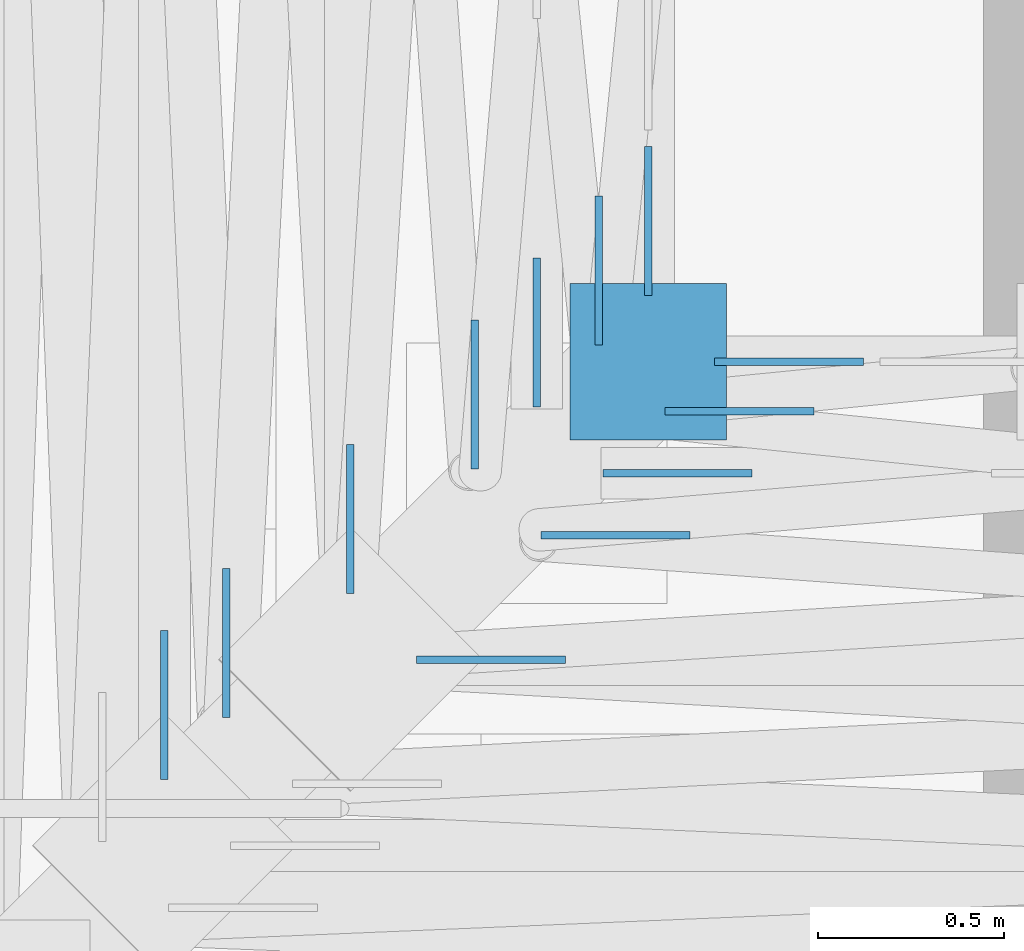
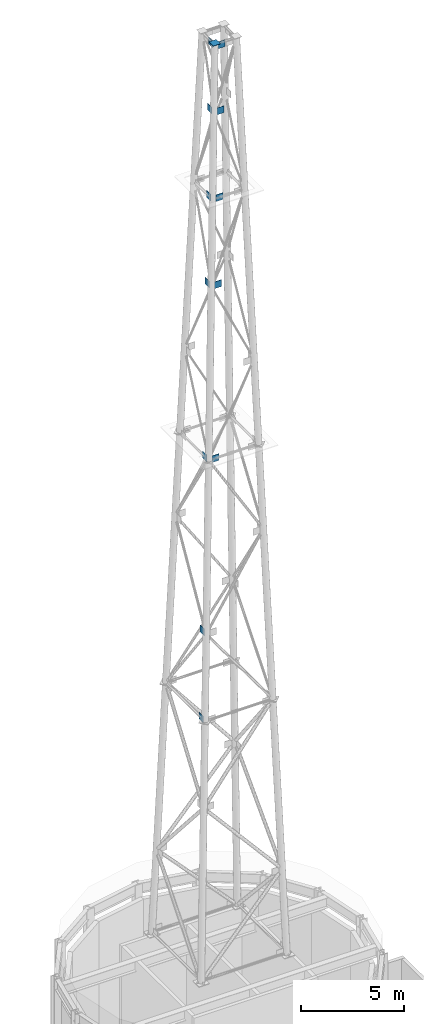
# One storey, part 6 of 15: 13 discrete accessories.
"""IFC4 building model written with IfcOpenShell, lengths in metres."""

from ifc_helpers import new_model, si_unit, direction, frame, origin, origin_2d, place, context, subcontext, project, spatial, rectangle, extrude, material, layer, layer_set, material_profile, profile_set, type_object, element, save


model = new_model("IFC4")

# Units and contexts
model_context = context("Model", 3, precision=1e-05, world=origin(), true_north=direction((0.0, 1.0)))
body_context = subcontext(model_context, "Body", "Model", "MODEL_VIEW")
ifc_project = project(units=[si_unit("LENGTHUNIT", "METRE"), si_unit("AREAUNIT", "SQUARE_METRE"), si_unit("VOLUMEUNIT", "CUBIC_METRE"), si_unit("PLANEANGLEUNIT", "RADIAN"), si_unit("MASSUNIT", "GRAM", prefix="KILO")], contexts=[model_context])

# Site, building, storey
site_placement = place(None, origin())
site = spatial("IfcSite", under=ifc_project, at=site_placement, CompositionType="ELEMENT")
building_placement = place(site_placement, origin())
building = spatial("IfcBuilding", under=site, at=building_placement, Name="Immortelle Media Tower", CompositionType="ELEMENT")
storey_placement = place(building_placement, frame((0.0, 0.0, 308.0)))
storey = spatial("IfcBuildingStorey", under=building, at=storey_placement, Name="Roof", CompositionType="ELEMENT", Elevation=308.0)

# Discrete accessories
ifc_material_1 = material(Name="Structural steel S355J2 plate", Category="steel")
ifc_layer = layer(ifc_material_1, 0.02001953125)
ifc_layer_set = layer_set([ifc_layer], Name="Structural steel S355J2 plate")
discrete_accessory_type_1 = type_object("IfcDiscreteAccessoryType", Name="MAST leg end plate 420 x 420 x 20", PredefinedType="USERDEFINED", material=ifc_layer_set)
discrete_accessory_1_placement = place(storey_placement, frame((11.39990234375, 11.39990234375, 66.97998046875), z_axis=(0.0, 0.0, 1.0), x_axis=(1.0, 0.0, 0.0)))
element("IfcDiscreteAccessory", 1, at=discrete_accessory_1_placement, inside=storey, type_object=discrete_accessory_type_1, Name="MAST leg end plate A", ObjectType="END PLATE", PredefinedType="USERDEFINED", context=body_context, shape_type="SweptSolid", body=[
    extrude(rectangle(XDim=0.419921875, YDim=0.419921875, at=origin_2d()), origin(), (0.0, 0.0, 1.0), 0.02001953125),
])
ifc_material_2 = material(Name="Steel ASTM A572 Gr 50", Category="steel")
ifc_material_profile = material_profile(ifc_material_2, rectangle(XDim=0.02001953125, YDim=0.39990234375, at=origin_2d()), Name="PL 20 x 400")
ifc_profile_set = profile_set([ifc_material_profile], Name="Steel ASTM A572 Gr 50")
discrete_accessory_type_2 = type_object("IfcDiscreteAccessoryType", Name="Node plate GP4 400 x 400 x 20", PredefinedType="USERDEFINED", material=ifc_profile_set)
discrete_accessory_2_placement = place(storey_placement, frame((10.778076171875, 10.60009765625, 42.989990234375), z_axis=(1.0, 0.0, 0.0), x_axis=(0.0, 1.0, 0.0)))
element("IfcDiscreteAccessory", 2, at=discrete_accessory_2_placement, inside=storey, type_object=discrete_accessory_type_2, Name="Node plate GP4, leg A, face 1, node 7", ObjectType="NODE PLATE", PredefinedType="USERDEFINED", context=body_context, shape_type="SweptSolid", body=[
    extrude(rectangle(XDim=0.02001953125, YDim=0.39990234375, at=origin_2d()), origin(), (0.0, 0.0, 1.0), 0.39990234375),
])
discrete_accessory_3_placement = place(storey_placement, frame((11.111328125, 10.93359375, 52.989990234375), z_axis=(1.0, 0.0, 0.0), x_axis=(0.0, 1.0, 0.0)))
element("IfcDiscreteAccessory", 3, at=discrete_accessory_3_placement, inside=storey, type_object=discrete_accessory_type_2, Name="Node plate GP4, leg A, face 1, node 9", ObjectType="NODE PLATE", PredefinedType="USERDEFINED", context=body_context, shape_type="SweptSolid", body=[
    extrude(rectangle(XDim=0.02001953125, YDim=0.39990234375, at=origin_2d()), origin(), (0.0, 0.0, 1.0), 0.400146484375),
])
for number, where, z_axis, x_axis, name in (
    (4, (11.278076171875, 11.100341796875, 57.989990234375), (1.0, 0.0, 0.0), (0.0, 1.0, 0.0), "Node plate GP4, leg A, face 1, node 10"),
    (5, (11.44482421875, 11.26708984375, 62.989990234375), (1.0, 0.0, 0.0), (0.0, 1.0, 0.0), "Node plate GP4, leg A, face 1, node 11"),
    (6, (11.577880859375, 11.39990234375, 66.780029296875), (1.0, 0.0, 0.0), (0.0, 1.0, 0.0), "Node plate GP4, leg A, face 1, node 12"),
):
    element("IfcDiscreteAccessory", number, at=place(storey_placement, frame(where, z_axis=z_axis, x_axis=x_axis)), inside=storey, type_object=discrete_accessory_type_2, Name=name, ObjectType="NODE PLATE", PredefinedType="USERDEFINED", context=body_context, shape_type="SweptSolid", body=[
        extrude(rectangle(XDim=0.02001953125, YDim=0.39990234375, at=origin_2d()), origin(), (0.0, 0.0, 1.0), 0.39990234375),
    ])
discrete_accessory_4_placement = place(storey_placement, frame((10.10009765625, 10.27783203125, 27.989990234375), z_axis=(0.0, 1.0, 0.0), x_axis=(-1.0, 0.0, 0.0)))
element("IfcDiscreteAccessory", 7, at=discrete_accessory_4_placement, inside=storey, type_object=discrete_accessory_type_2, Name="Node plate GP4, leg A, face 4, node 4", ObjectType="NODE PLATE", PredefinedType="USERDEFINED", context=body_context, shape_type="SweptSolid", body=[
    extrude(rectangle(XDim=0.02001953125, YDim=0.39990234375, at=origin_2d()), origin(), (0.0, 0.0, 1.0), 0.400146484375),
])
for number, where, z_axis, x_axis, name in (
    (8, (10.266845703125, 10.444580078125, 32.989990234375), (0.0, 1.0, 0.0), (-1.0, 0.0, 0.0), "Node plate GP4, leg A, face 4, node 5"),
    (9, (10.60009765625, 10.778076171875, 42.989990234375), (0.0, 1.0, 0.0), (-1.0, 0.0, 0.0), "Node plate GP4, leg A, face 4, node 7"),
):
    element("IfcDiscreteAccessory", number, at=place(storey_placement, frame(where, z_axis=z_axis, x_axis=x_axis)), inside=storey, type_object=discrete_accessory_type_2, Name=name, ObjectType="NODE PLATE", PredefinedType="USERDEFINED", context=body_context, shape_type="SweptSolid", body=[
        extrude(rectangle(XDim=0.02001953125, YDim=0.39990234375, at=origin_2d()), origin(), (0.0, 0.0, 1.0), 0.39990234375),
    ])
discrete_accessory_5_placement = place(storey_placement, frame((10.93359375, 11.111328125, 52.989990234375), z_axis=(0.0, 1.0, 0.0), x_axis=(-1.0, 0.0, 0.0)))
element("IfcDiscreteAccessory", 10, at=discrete_accessory_5_placement, inside=storey, type_object=discrete_accessory_type_2, Name="Node plate GP4, leg A, face 4, node 9", ObjectType="NODE PLATE", PredefinedType="USERDEFINED", context=body_context, shape_type="SweptSolid", body=[
    extrude(rectangle(XDim=0.02001953125, YDim=0.39990234375, at=origin_2d()), origin(), (0.0, 0.0, 1.0), 0.400146484375),
])
for number, where, z_axis, x_axis, name in (
    (11, (11.100341796875, 11.278076171875, 57.989990234375), (0.0, 1.0, 0.0), (-1.0, 0.0, 0.0), "Node plate GP4, leg A, face 4, node 10"),
    (12, (11.26708984375, 11.44482421875, 62.989990234375), (0.0, 1.0, 0.0), (-1.0, 0.0, 0.0), "Node plate GP4, leg A, face 4, node 11"),
    (13, (11.39990234375, 11.577880859375, 66.780029296875), (0.0, 1.0, 0.0), (-1.0, 0.0, 0.0), "Node plate GP4, leg A, face 4, node 12"),
):
    element("IfcDiscreteAccessory", number, at=place(storey_placement, frame(where, z_axis=z_axis, x_axis=x_axis)), inside=storey, type_object=discrete_accessory_type_2, Name=name, ObjectType="NODE PLATE", PredefinedType="USERDEFINED", context=body_context, shape_type="SweptSolid", body=[
        extrude(rectangle(XDim=0.02001953125, YDim=0.39990234375, at=origin_2d()), origin(), (0.0, 0.0, 1.0), 0.39990234375),
    ])

save(model, "model.ifc")
